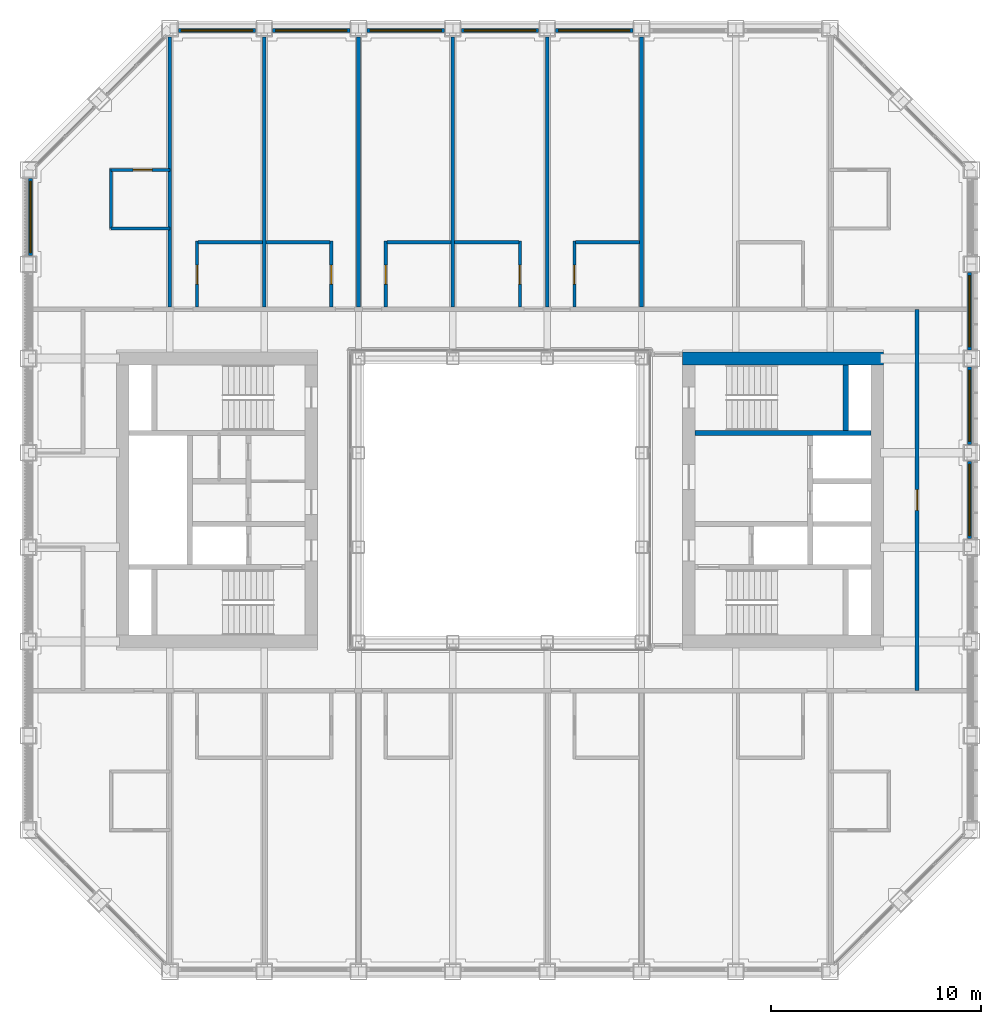
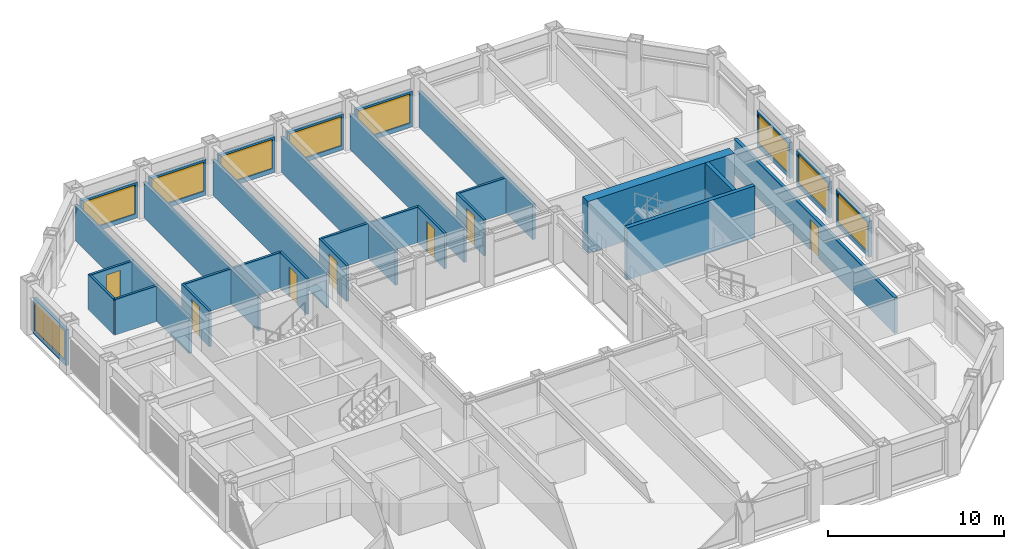
# One storey, part 13 of 17: 32 walls, 9 windows, 7 doors, 16 openings.
"""IFC4 building model written with IfcOpenShell, lengths in metres."""

from ifc_helpers import new_model, si_unit, direction, frame, frame_2d, origin, place, context, subcontext, project, spatial, rectangle, extrude, material, layer, layer_set, type_object, element, fill, save


model = new_model("IFC4")

# Units and contexts
model_context = context("Model", 3, precision=1e-05, world=origin(), true_north=direction((0.0, 1.0)))
body_context = subcontext(model_context, "Body", "Model", "MODEL_VIEW")
ifc_project = project(units=[si_unit("LENGTHUNIT", "METRE"), si_unit("AREAUNIT", "SQUARE_METRE"), si_unit("VOLUMEUNIT", "CUBIC_METRE"), si_unit("PLANEANGLEUNIT", "RADIAN"), si_unit("MASSUNIT", "GRAM", prefix="KILO")], contexts=[model_context])

# Site, building, storey
site_placement = place(None, origin())
site = spatial("IfcSite", under=ifc_project, at=site_placement, CompositionType="ELEMENT")
building_placement = place(site_placement, origin())
building = spatial("IfcBuilding", under=site, at=building_placement, Name="Msasa Ring Tower", CompositionType="ELEMENT")
storey_placement = place(building_placement, frame((0.0, 0.0, 147.199951171875)))
storey = spatial("IfcBuildingStorey", under=building, at=storey_placement, Name="L38", CompositionType="ELEMENT", Elevation=147.199951171875)

# Walls
ifc_material_1 = material(Name="Concrete C60/75", Category="concrete")
ifc_layer_1 = layer(ifc_material_1, 0.60009765625)
ifc_layer_set_1 = layer_set([ifc_layer_1], Name="CW2 CORE WALL 600")
wall_type_1 = type_object("IfcWallType", Name="CW2 CORE WALL 600", PredefinedType="SHEAR", material=ifc_layer_set_1)
wall_1_placement = place(storey_placement, frame((8.699951171875, 6.75, 0.0), z_axis=(0.0, 0.0, 1.0), x_axis=(1.0, 0.0, 0.0)))
element("IfcWall", 1, at=wall_1_placement, inside=storey, type_object=wall_type_1, Name="E core wall N L38", PredefinedType="SHEAR", context=body_context, shape_type="SweptSolid", body=[
    extrude(rectangle(XDim=9.60009765625, YDim=0.60009765625, at=frame_2d((4.800048828125, 0.0))), origin(), (0.0, 0.0, 1.0), 3.60009765625),
])
ifc_material_2 = material(Name="Concrete C60/75", Category="concrete")
ifc_layer_2 = layer(ifc_material_2, 0.25)
ifc_layer_set_2 = layer_set([ifc_layer_2], Name="CW4 CORE INNER WALL 250")
wall_type_2 = type_object("IfcWallType", Name="CW4 CORE INNER WALL 250", PredefinedType="SHEAR", material=ifc_layer_set_2)
wall_2_placement = place(storey_placement, frame((9.300048828125, 3.199951171875, 0.0), z_axis=(0.0, 0.0, 1.0), x_axis=(1.0, 0.0, 0.0)))
element("IfcWall", 2, at=wall_2_placement, inside=storey, type_object=wall_type_2, Name="E core wall STAIRB L38", PredefinedType="SHEAR", context=body_context, shape_type="SweptSolid", body=[
    extrude(rectangle(XDim=8.39990234375, YDim=0.25, at=frame_2d((4.199951171875, 0.0))), origin(), (0.0, 0.0, 1.0), 3.60009765625),
])
wall_3_placement = place(storey_placement, frame((16.5, 3.324951171875, 0.0), z_axis=(0.0, 0.0, 1.0), x_axis=(0.0, 1.0, 0.0)))
element("IfcWall", 3, at=wall_3_placement, inside=storey, type_object=wall_type_2, Name="E core wall RISERB L38", PredefinedType="SHEAR", context=body_context, shape_type="SweptSolid", body=[
    extrude(rectangle(XDim=3.125, YDim=0.25, at=frame_2d((1.5625, 0.0))), origin(), (0.0, 0.0, 1.0), 3.60009765625),
])

# Wall, opening, window
ifc_material_3 = material(Name="Terracotta rainscreen on blockwork", Category="masonry")
ifc_layer_3 = layer(ifc_material_3, 0.199951171875)
ifc_layer_set_3 = layer_set([ifc_layer_3], Name="FW1 TERRACOTTA-LINED INFILL BAY WALL 200")
wall_type_3 = type_object("IfcWallType", Name="FW1 TERRACOTTA-LINED INFILL BAY WALL 200", PredefinedType="SOLIDWALL", material=ifc_layer_set_3)
wall_4_placement = place(storey_placement, frame((22.39990234375, -1.844970703125, 0.0), z_axis=(0.0, 0.0, 1.0), x_axis=(0.0, 1.0, 0.0)))
wall_4 = element("IfcWall", 4, at=wall_4_placement, inside=storey, type_object=wall_type_3, Name="Infill bay wall E L38 12", PredefinedType="SOLIDWALL", context=body_context, shape_type="SweptSolid", body=[
    extrude(rectangle(XDim=3.68994140625, YDim=0.199951171875, at=frame_2d((1.844970703125, 0.0))), origin(), (0.0, 0.0, 1.0), 2.47900390625),
])
opening_1_placement = place(wall_4_placement, frame((0.14501953125, 0.0, 0.300048828125)))
opening_1 = element("IfcOpeningElement", 5, at=opening_1_placement, cuts=wall_4, Name="Opening WN2", PredefinedType="OPENING", context=body_context, shape_type="SweptSolid", body=[
    extrude(rectangle(XDim=3.39990234375, YDim=2.029052734375, at=frame_2d((1.699951171875, 1.0146484375))), frame((0.0, 0.10986328125, 0.0), z_axis=(0.0, -1.0, 0.0), x_axis=(1.0, 0.0, 0.0)), (0.0, 0.0, 1.0), 0.219970703125),
])
ifc_material_4 = material(Name="Aluminium frame with clear glass", Category="aluminium")
window_type = type_object("IfcWindowType", Name="WN2 GUEST ROOM WINDOW 3400x2029", PartitioningType="SINGLE_PANEL", PredefinedType="WINDOW", material=ifc_material_4)
window_1_placement = place(opening_1_placement, origin())
window_1 = element("IfcWindow", 6, at=window_1_placement, inside=storey, type_object=window_type, Name="Window E L38 12", OverallHeight=2.029052734375, OverallWidth=3.39990234375, PartitioningType="SINGLE_PANEL", PredefinedType="WINDOW", context=body_context, shape_type="SweptSolid", body=[
    extrude(rectangle(XDim=3.39990234375, YDim=2.029052734375, at=frame_2d((1.699951171875, 1.0146484375))), frame((0.0, 0.030029296875, 0.0), z_axis=(0.0, -1.0, 0.0), x_axis=(1.0, 0.0, 0.0)), (0.0, 0.0, 1.0), 0.06005859375),
])
fill(opening_1, window_1)

wall_5_placement = place(storey_placement, frame((22.39990234375, 2.655029296875, 0.0), z_axis=(0.0, 0.0, 1.0), x_axis=(0.0, 1.0, 0.0)))
wall_5 = element("IfcWall", 7, at=wall_5_placement, inside=storey, type_object=wall_type_3, Name="Infill bay wall E L38 13", PredefinedType="SOLIDWALL", context=body_context, shape_type="SweptSolid", body=[
    extrude(rectangle(XDim=3.68994140625, YDim=0.199951171875, at=frame_2d((1.844970703125, 0.0))), origin(), (0.0, 0.0, 1.0), 2.47900390625),
])
opening_2_placement = place(wall_5_placement, frame((0.14501953125, 0.0, 0.300048828125)))
opening_2 = element("IfcOpeningElement", 8, at=opening_2_placement, cuts=wall_5, Name="Opening WN2", PredefinedType="OPENING", context=body_context, shape_type="SweptSolid", body=[
    extrude(rectangle(XDim=3.39990234375, YDim=2.029052734375, at=frame_2d((1.699951171875, 1.0146484375))), frame((0.0, 0.10986328125, 0.0), z_axis=(0.0, -1.0, 0.0), x_axis=(1.0, 0.0, 0.0)), (0.0, 0.0, 1.0), 0.219970703125),
])
window_2_placement = place(opening_2_placement, origin())
window_2 = element("IfcWindow", 9, at=window_2_placement, inside=storey, type_object=window_type, Name="Window E L38 13", OverallHeight=2.029052734375, OverallWidth=3.39990234375, PartitioningType="SINGLE_PANEL", PredefinedType="WINDOW", context=body_context, shape_type="SweptSolid", body=[
    extrude(rectangle(XDim=3.39990234375, YDim=2.029052734375, at=frame_2d((1.699951171875, 1.0146484375))), frame((0.0, 0.030029296875, 0.0), z_axis=(0.0, -1.0, 0.0), x_axis=(1.0, 0.0, 0.0)), (0.0, 0.0, 1.0), 0.06005859375),
])
fill(opening_2, window_2)

wall_6_placement = place(storey_placement, frame((22.39990234375, 7.155029296875, 0.0), z_axis=(0.0, 0.0, 1.0), x_axis=(0.0, 1.0, 0.0)))
wall_6 = element("IfcWall", 10, at=wall_6_placement, inside=storey, type_object=wall_type_3, Name="Infill bay wall E L38 14", PredefinedType="SOLIDWALL", context=body_context, shape_type="SweptSolid", body=[
    extrude(rectangle(XDim=3.68994140625, YDim=0.199951171875, at=frame_2d((1.844970703125, 0.0))), origin(), (0.0, 0.0, 1.0), 2.47900390625),
])
opening_3_placement = place(wall_6_placement, frame((0.14501953125, 0.0, 0.300048828125)))
opening_3 = element("IfcOpeningElement", 11, at=opening_3_placement, cuts=wall_6, Name="Opening WN2", PredefinedType="OPENING", context=body_context, shape_type="SweptSolid", body=[
    extrude(rectangle(XDim=3.39990234375, YDim=2.029052734375, at=frame_2d((1.699951171875, 1.0146484375))), frame((0.0, 0.10986328125, 0.0), z_axis=(0.0, -1.0, 0.0), x_axis=(1.0, 0.0, 0.0)), (0.0, 0.0, 1.0), 0.219970703125),
])
window_3_placement = place(opening_3_placement, origin())
window_3 = element("IfcWindow", 12, at=window_3_placement, inside=storey, type_object=window_type, Name="Window E L38 14", OverallHeight=2.029052734375, OverallWidth=3.39990234375, PartitioningType="SINGLE_PANEL", PredefinedType="WINDOW", context=body_context, shape_type="SweptSolid", body=[
    extrude(rectangle(XDim=3.39990234375, YDim=2.029052734375, at=frame_2d((1.699951171875, 1.0146484375))), frame((0.0, 0.030029296875, 0.0), z_axis=(0.0, -1.0, 0.0), x_axis=(1.0, 0.0, 0.0)), (0.0, 0.0, 1.0), 0.06005859375),
])
fill(opening_3, window_3)

wall_7_placement = place(storey_placement, frame((-15.344970703125, 22.39990234375, 0.0), z_axis=(0.0, 0.0, 1.0), x_axis=(1.0, 0.0, 0.0)))
wall_7 = element("IfcWall", 13, at=wall_7_placement, inside=storey, type_object=wall_type_3, Name="Infill bay wall N L38 18", PredefinedType="SOLIDWALL", context=body_context, shape_type="SweptSolid", body=[
    extrude(rectangle(XDim=3.68994140625, YDim=0.199951171875, at=frame_2d((1.844970703125, 0.0))), origin(), (0.0, 0.0, 1.0), 2.47900390625),
])
opening_4_placement = place(wall_7_placement, frame((0.14501953125, 0.0, 0.300048828125)))
opening_4 = element("IfcOpeningElement", 14, at=opening_4_placement, cuts=wall_7, Name="Opening WN2", PredefinedType="OPENING", context=body_context, shape_type="SweptSolid", body=[
    extrude(rectangle(XDim=3.39990234375, YDim=2.029052734375, at=frame_2d((1.699951171875, 1.0146484375))), frame((0.0, 0.10986328125, 0.0), z_axis=(0.0, -1.0, 0.0), x_axis=(1.0, 0.0, 0.0)), (0.0, 0.0, 1.0), 0.219970703125),
])
window_4_placement = place(opening_4_placement, origin())
window_4 = element("IfcWindow", 15, at=window_4_placement, inside=storey, type_object=window_type, Name="Window N L38 18", OverallHeight=2.029052734375, OverallWidth=3.39990234375, PartitioningType="SINGLE_PANEL", PredefinedType="WINDOW", context=body_context, shape_type="SweptSolid", body=[
    extrude(rectangle(XDim=3.39990234375, YDim=2.029052734375, at=frame_2d((1.699951171875, 1.0146484375))), frame((0.0, 0.030029296875, 0.0), z_axis=(0.0, -1.0, 0.0), x_axis=(1.0, 0.0, 0.0)), (0.0, 0.0, 1.0), 0.06005859375),
])
fill(opening_4, window_4)

wall_8_placement = place(storey_placement, frame((-10.844970703125, 22.39990234375, 0.0), z_axis=(0.0, 0.0, 1.0), x_axis=(1.0, 0.0, 0.0)))
wall_8 = element("IfcWall", 16, at=wall_8_placement, inside=storey, type_object=wall_type_3, Name="Infill bay wall N L38 19", PredefinedType="SOLIDWALL", context=body_context, shape_type="SweptSolid", body=[
    extrude(rectangle(XDim=3.68994140625, YDim=0.199951171875, at=frame_2d((1.844970703125, 0.0))), origin(), (0.0, 0.0, 1.0), 2.47900390625),
])
opening_5_placement = place(wall_8_placement, frame((0.14501953125, 0.0, 0.300048828125)))
opening_5 = element("IfcOpeningElement", 17, at=opening_5_placement, cuts=wall_8, Name="Opening WN2", PredefinedType="OPENING", context=body_context, shape_type="SweptSolid", body=[
    extrude(rectangle(XDim=3.39990234375, YDim=2.029052734375, at=frame_2d((1.699951171875, 1.0146484375))), frame((0.0, 0.10986328125, 0.0), z_axis=(0.0, -1.0, 0.0), x_axis=(1.0, 0.0, 0.0)), (0.0, 0.0, 1.0), 0.219970703125),
])
window_5_placement = place(opening_5_placement, origin())
window_5 = element("IfcWindow", 18, at=window_5_placement, inside=storey, type_object=window_type, Name="Window N L38 19", OverallHeight=2.029052734375, OverallWidth=3.39990234375, PartitioningType="SINGLE_PANEL", PredefinedType="WINDOW", context=body_context, shape_type="SweptSolid", body=[
    extrude(rectangle(XDim=3.39990234375, YDim=2.029052734375, at=frame_2d((1.699951171875, 1.0146484375))), frame((0.0, 0.030029296875, 0.0), z_axis=(0.0, -1.0, 0.0), x_axis=(1.0, 0.0, 0.0)), (0.0, 0.0, 1.0), 0.06005859375),
])
fill(opening_5, window_5)

wall_9_placement = place(storey_placement, frame((-6.344970703125, 22.39990234375, 0.0), z_axis=(0.0, 0.0, 1.0), x_axis=(1.0, 0.0, 0.0)))
wall_9 = element("IfcWall", 19, at=wall_9_placement, inside=storey, type_object=wall_type_3, Name="Infill bay wall N L38 20", PredefinedType="SOLIDWALL", context=body_context, shape_type="SweptSolid", body=[
    extrude(rectangle(XDim=3.68994140625, YDim=0.199951171875, at=frame_2d((1.844970703125, 0.0))), origin(), (0.0, 0.0, 1.0), 2.47900390625),
])
opening_6_placement = place(wall_9_placement, frame((0.14501953125, 0.0, 0.300048828125)))
opening_6 = element("IfcOpeningElement", 20, at=opening_6_placement, cuts=wall_9, Name="Opening WN2", PredefinedType="OPENING", context=body_context, shape_type="SweptSolid", body=[
    extrude(rectangle(XDim=3.39990234375, YDim=2.029052734375, at=frame_2d((1.699951171875, 1.0146484375))), frame((0.0, 0.10986328125, 0.0), z_axis=(0.0, -1.0, 0.0), x_axis=(1.0, 0.0, 0.0)), (0.0, 0.0, 1.0), 0.219970703125),
])
window_6_placement = place(opening_6_placement, origin())
window_6 = element("IfcWindow", 21, at=window_6_placement, inside=storey, type_object=window_type, Name="Window N L38 20", OverallHeight=2.029052734375, OverallWidth=3.39990234375, PartitioningType="SINGLE_PANEL", PredefinedType="WINDOW", context=body_context, shape_type="SweptSolid", body=[
    extrude(rectangle(XDim=3.39990234375, YDim=2.029052734375, at=frame_2d((1.699951171875, 1.0146484375))), frame((0.0, 0.030029296875, 0.0), z_axis=(0.0, -1.0, 0.0), x_axis=(1.0, 0.0, 0.0)), (0.0, 0.0, 1.0), 0.06005859375),
])
fill(opening_6, window_6)

wall_10_placement = place(storey_placement, frame((-1.844970703125, 22.39990234375, 0.0), z_axis=(0.0, 0.0, 1.0), x_axis=(1.0, 0.0, 0.0)))
wall_10 = element("IfcWall", 22, at=wall_10_placement, inside=storey, type_object=wall_type_3, Name="Infill bay wall N L38 21", PredefinedType="SOLIDWALL", context=body_context, shape_type="SweptSolid", body=[
    extrude(rectangle(XDim=3.68994140625, YDim=0.199951171875, at=frame_2d((1.844970703125, 0.0))), origin(), (0.0, 0.0, 1.0), 2.47900390625),
])
opening_7_placement = place(wall_10_placement, frame((0.14501953125, 0.0, 0.300048828125)))
opening_7 = element("IfcOpeningElement", 23, at=opening_7_placement, cuts=wall_10, Name="Opening WN2", PredefinedType="OPENING", context=body_context, shape_type="SweptSolid", body=[
    extrude(rectangle(XDim=3.39990234375, YDim=2.029052734375, at=frame_2d((1.699951171875, 1.0146484375))), frame((0.0, 0.10986328125, 0.0), z_axis=(0.0, -1.0, 0.0), x_axis=(1.0, 0.0, 0.0)), (0.0, 0.0, 1.0), 0.219970703125),
])
window_7_placement = place(opening_7_placement, origin())
window_7 = element("IfcWindow", 24, at=window_7_placement, inside=storey, type_object=window_type, Name="Window N L38 21", OverallHeight=2.029052734375, OverallWidth=3.39990234375, PartitioningType="SINGLE_PANEL", PredefinedType="WINDOW", context=body_context, shape_type="SweptSolid", body=[
    extrude(rectangle(XDim=3.39990234375, YDim=2.029052734375, at=frame_2d((1.699951171875, 1.0146484375))), frame((0.0, 0.030029296875, 0.0), z_axis=(0.0, -1.0, 0.0), x_axis=(1.0, 0.0, 0.0)), (0.0, 0.0, 1.0), 0.06005859375),
])
fill(opening_7, window_7)

wall_11_placement = place(storey_placement, frame((2.655029296875, 22.39990234375, 0.0), z_axis=(0.0, 0.0, 1.0), x_axis=(1.0, 0.0, 0.0)))
wall_11 = element("IfcWall", 25, at=wall_11_placement, inside=storey, type_object=wall_type_3, Name="Infill bay wall N L38 22", PredefinedType="SOLIDWALL", context=body_context, shape_type="SweptSolid", body=[
    extrude(rectangle(XDim=3.68994140625, YDim=0.199951171875, at=frame_2d((1.844970703125, 0.0))), origin(), (0.0, 0.0, 1.0), 2.47900390625),
])
opening_8_placement = place(wall_11_placement, frame((0.14501953125, 0.0, 0.300048828125)))
opening_8 = element("IfcOpeningElement", 26, at=opening_8_placement, cuts=wall_11, Name="Opening WN2", PredefinedType="OPENING", context=body_context, shape_type="SweptSolid", body=[
    extrude(rectangle(XDim=3.39990234375, YDim=2.029052734375, at=frame_2d((1.699951171875, 1.0146484375))), frame((0.0, 0.10986328125, 0.0), z_axis=(0.0, -1.0, 0.0), x_axis=(1.0, 0.0, 0.0)), (0.0, 0.0, 1.0), 0.219970703125),
])
window_8_placement = place(opening_8_placement, origin())
window_8 = element("IfcWindow", 27, at=window_8_placement, inside=storey, type_object=window_type, Name="Window N L38 22", OverallHeight=2.029052734375, OverallWidth=3.39990234375, PartitioningType="SINGLE_PANEL", PredefinedType="WINDOW", context=body_context, shape_type="SweptSolid", body=[
    extrude(rectangle(XDim=3.39990234375, YDim=2.029052734375, at=frame_2d((1.699951171875, 1.0146484375))), frame((0.0, 0.030029296875, 0.0), z_axis=(0.0, -1.0, 0.0), x_axis=(1.0, 0.0, 0.0)), (0.0, 0.0, 1.0), 0.06005859375),
])
fill(opening_8, window_8)

wall_12_placement = place(storey_placement, frame((-22.39990234375, 11.655029296875, 0.0), z_axis=(0.0, 0.0, 1.0), x_axis=(0.0, 1.0, 0.0)))
wall_12 = element("IfcWall", 28, at=wall_12_placement, inside=storey, type_object=wall_type_3, Name="Infill bay wall W L38 33", PredefinedType="SOLIDWALL", context=body_context, shape_type="SweptSolid", body=[
    extrude(rectangle(XDim=3.68994140625, YDim=0.199951171875, at=frame_2d((1.844970703125, 0.0))), origin(), (0.0, 0.0, 1.0), 2.47900390625),
])
opening_9_placement = place(wall_12_placement, frame((0.14501953125, 0.0, 0.300048828125)))
opening_9 = element("IfcOpeningElement", 29, at=opening_9_placement, cuts=wall_12, Name="Opening WN2", PredefinedType="OPENING", context=body_context, shape_type="SweptSolid", body=[
    extrude(rectangle(XDim=3.39990234375, YDim=2.029052734375, at=frame_2d((1.699951171875, 1.0146484375))), frame((0.0, 0.10986328125, 0.0), z_axis=(0.0, -1.0, 0.0), x_axis=(1.0, 0.0, 0.0)), (0.0, 0.0, 1.0), 0.219970703125),
])
window_9_placement = place(opening_9_placement, origin())
window_9 = element("IfcWindow", 30, at=window_9_placement, inside=storey, type_object=window_type, Name="Window W L38 33", OverallHeight=2.029052734375, OverallWidth=3.39990234375, PartitioningType="SINGLE_PANEL", PredefinedType="WINDOW", context=body_context, shape_type="SweptSolid", body=[
    extrude(rectangle(XDim=3.39990234375, YDim=2.029052734375, at=frame_2d((1.699951171875, 1.0146484375))), frame((0.0, 0.030029296875, 0.0), z_axis=(0.0, -1.0, 0.0), x_axis=(1.0, 0.0, 0.0)), (0.0, 0.0, 1.0), 0.06005859375),
])
fill(opening_9, window_9)

# Wall, opening, door
ifc_material_5 = material(Name="Concrete blockwork", Category="masonry")
ifc_layer_4 = layer(ifc_material_5, 0.199951171875)
ifc_layer_set_4 = layer_set([ifc_layer_4], Name="PT1 CORRIDOR WALL 200")
wall_type_4 = type_object("IfcWallType", Name="PT1 CORRIDOR WALL 200", PredefinedType="PARTITIONING", material=ifc_layer_set_4)
wall_13_placement = place(storey_placement, frame((19.89990234375, -9.10009765625, 0.0), z_axis=(0.0, 0.0, 1.0), x_axis=(0.0, 1.0, 0.0)))
wall_13 = element("IfcWall", 31, at=wall_13_placement, inside=storey, type_object=wall_type_4, Name="Corridor wall L38-STRE", PredefinedType="PARTITIONING", context=body_context, shape_type="SweptSolid", body=[
    extrude(rectangle(XDim=18.2001953125, YDim=0.199951171875, at=frame_2d((9.10009765625, 0.0))), origin(), (0.0, 0.0, 1.0), 2.473388671875),
])
opening_10_placement = place(wall_13_placement, frame((8.60009765625, 0.0, 0.0)))
opening_10 = element("IfcOpeningElement", 32, at=opening_10_placement, cuts=wall_13, Name="Opening HC-025", PredefinedType="OPENING", context=body_context, shape_type="SweptSolid", body=[
    extrude(rectangle(XDim=1.0, YDim=2.10009765625, at=frame_2d((0.5, 1.050048828125))), frame((0.0, 0.10986328125, 0.0), z_axis=(0.0, -1.0, 0.0), x_axis=(1.0, 0.0, 0.0)), (0.0, 0.0, 1.0), 0.219970703125),
])
ifc_material_6 = material(Name="Timber door leaf in a steel frame", Category="steel")
door_type_1 = type_object("IfcDoorType", Name="D10 STORE DOOR 1000x2100", OperationType="SINGLE_SWING_LEFT", PredefinedType="DOOR", material=ifc_material_6)
door_1_placement = place(opening_10_placement, origin())
door_1 = element("IfcDoor", 33, at=door_1_placement, inside=storey, type_object=door_type_1, Name="Door L38-LGE", OperationType="SINGLE_SWING_LEFT", OverallHeight=2.10009765625, OverallWidth=1.0, PredefinedType="DOOR", context=body_context, shape_type="SweptSolid", body=[
    extrude(rectangle(XDim=1.0, YDim=2.10009765625, at=frame_2d((0.5, 1.050048828125))), frame((0.0, 0.02490234375, 0.0), z_axis=(0.0, -1.0, 0.0), x_axis=(1.0, 0.0, 0.0)), (0.0, 0.0, 1.0), 0.050048828125),
])
fill(opening_10, door_1)

ifc_material_7 = material(Name="Moisture-resistant board on steel studs with a concealed cistern and pipe void, tiled", Category="steel")
ifc_layer_5 = layer(ifc_material_7, 0.14990234375)
ifc_layer_set_5 = layer_set([ifc_layer_5], Name="PT4 BATHROOM WET WALL 150")
wall_type_5 = type_object("IfcWallType", Name="PT4 BATHROOM WET WALL 150", PredefinedType="PARTITIONING", material=ifc_layer_set_5)
wall_14_placement = place(storey_placement, frame((-14.449951171875, 9.199951171875, 0.0), z_axis=(0.0, 0.0, 1.0), x_axis=(0.0, 1.0, 0.0)))
wall_14 = element("IfcWall", 34, at=wall_14_placement, inside=storey, type_object=wall_type_5, Name="Partition L38-GN00BX", PredefinedType="PARTITIONING", context=body_context, shape_type="SweptSolid", body=[
    extrude(rectangle(XDim=3.150146484375, YDim=0.14990234375, at=frame_2d((1.5751953125, 0.0))), origin(), (0.0, 0.0, 1.0), 2.473388671875),
])
opening_11_placement = place(wall_14_placement, frame((1.10009765625, 0.0, 0.0)))
opening_11 = element("IfcOpeningElement", 35, at=opening_11_placement, cuts=wall_14, Name="Opening HC-003", PredefinedType="OPENING", context=body_context, shape_type="SweptSolid", body=[
    extrude(rectangle(XDim=0.89990234375, YDim=2.10009765625, at=frame_2d((0.449951171875, 1.050048828125))), frame((0.0, 0.0849609375, 0.0), z_axis=(0.0, -1.0, 0.0), x_axis=(1.0, 0.0, 0.0)), (0.0, 0.0, 1.0), 0.169921875),
])
ifc_material_8 = material(Name="Timber door leaf in a steel frame", Category="steel")
door_type_2 = type_object("IfcDoorType", Name="D3 BATHROOM DOOR 900x2100", OperationType="SINGLE_SWING_LEFT", PredefinedType="DOOR", material=ifc_material_8)
door_2_placement = place(opening_11_placement, origin())
door_2 = element("IfcDoor", 36, at=door_2_placement, inside=storey, type_object=door_type_2, Name="Door L38-GN00B", OperationType="SINGLE_SWING_LEFT", OverallHeight=2.10009765625, OverallWidth=0.89990234375, PredefinedType="DOOR", context=body_context, shape_type="SweptSolid", body=[
    extrude(rectangle(XDim=0.89990234375, YDim=2.10009765625, at=frame_2d((0.449951171875, 1.050048828125))), frame((0.0, 0.02490234375, 0.0), z_axis=(0.0, -1.0, 0.0), x_axis=(1.0, 0.0, 0.0)), (0.0, 0.0, 1.0), 0.050048828125),
])
fill(opening_11, door_2)

# Wall
wall_15_placement = place(storey_placement, frame((-14.39990234375, 12.300048828125, 0.0), z_axis=(0.0, 0.0, 1.0), x_axis=(1.0, 0.0, 0.0)))
element("IfcWall", 37, at=wall_15_placement, inside=storey, type_object=wall_type_5, Name="Partition L38-GN00BY", PredefinedType="PARTITIONING", context=body_context, shape_type="SweptSolid", body=[
    extrude(rectangle(XDim=3.0625, YDim=0.14990234375, at=frame_2d((1.53125, 0.0))), origin(), (0.0, 0.0, 1.0), 2.473388671875),
])

# Wall, opening, door
wall_16_placement = place(storey_placement, frame((-8.050048828125, 9.199951171875, 0.0), z_axis=(0.0, 0.0, 1.0), x_axis=(0.0, 1.0, 0.0)))
wall_16 = element("IfcWall", 38, at=wall_16_placement, inside=storey, type_object=wall_type_5, Name="Partition L38-GN01BX", PredefinedType="PARTITIONING", context=body_context, shape_type="SweptSolid", body=[
    extrude(rectangle(XDim=3.150146484375, YDim=0.14990234375, at=frame_2d((1.5751953125, 0.0))), origin(), (0.0, 0.0, 1.0), 2.473388671875),
])
opening_12_placement = place(wall_16_placement, frame((1.10009765625, 0.0, 0.0)))
opening_12 = element("IfcOpeningElement", 39, at=opening_12_placement, cuts=wall_16, Name="Opening HC-004", PredefinedType="OPENING", context=body_context, shape_type="SweptSolid", body=[
    extrude(rectangle(XDim=0.89990234375, YDim=2.10009765625, at=frame_2d((0.449951171875, 1.050048828125))), frame((0.0, 0.0849609375, 0.0), z_axis=(0.0, -1.0, 0.0), x_axis=(1.0, 0.0, 0.0)), (0.0, 0.0, 1.0), 0.169921875),
])
door_3_placement = place(opening_12_placement, origin())
door_3 = element("IfcDoor", 40, at=door_3_placement, inside=storey, type_object=door_type_2, Name="Door L38-GN01B", OperationType="SINGLE_SWING_LEFT", OverallHeight=2.10009765625, OverallWidth=0.89990234375, PredefinedType="DOOR", context=body_context, shape_type="SweptSolid", body=[
    extrude(rectangle(XDim=0.89990234375, YDim=2.10009765625, at=frame_2d((0.449951171875, 1.050048828125))), frame((0.0, 0.02490234375, 0.0), z_axis=(0.0, -1.0, 0.0), x_axis=(1.0, 0.0, 0.0)), (0.0, 0.0, 1.0), 0.050048828125),
])
fill(opening_12, door_3)

# Wall
wall_17_placement = place(storey_placement, frame((-11.16259765625, 12.300048828125, 0.0), z_axis=(0.0, 0.0, 1.0), x_axis=(1.0, 0.0, 0.0)))
element("IfcWall", 41, at=wall_17_placement, inside=storey, type_object=wall_type_5, Name="Partition L38-GN01BY", PredefinedType="PARTITIONING", context=body_context, shape_type="SweptSolid", body=[
    extrude(rectangle(XDim=3.0625, YDim=0.14990234375, at=frame_2d((1.53125, 0.0))), origin(), (0.0, 0.0, 1.0), 2.473388671875),
])

# Wall, opening, door
wall_18_placement = place(storey_placement, frame((-5.449951171875, 9.199951171875, 0.0), z_axis=(0.0, 0.0, 1.0), x_axis=(0.0, 1.0, 0.0)))
wall_18 = element("IfcWall", 42, at=wall_18_placement, inside=storey, type_object=wall_type_5, Name="Partition L38-GN02BX", PredefinedType="PARTITIONING", context=body_context, shape_type="SweptSolid", body=[
    extrude(rectangle(XDim=3.150146484375, YDim=0.14990234375, at=frame_2d((1.5751953125, 0.0))), origin(), (0.0, 0.0, 1.0), 2.473388671875),
])
opening_13_placement = place(wall_18_placement, frame((1.10009765625, 0.0, 0.0)))
opening_13 = element("IfcOpeningElement", 43, at=opening_13_placement, cuts=wall_18, Name="Opening HC-005", PredefinedType="OPENING", context=body_context, shape_type="SweptSolid", body=[
    extrude(rectangle(XDim=0.89990234375, YDim=2.10009765625, at=frame_2d((0.449951171875, 1.050048828125))), frame((0.0, 0.0849609375, 0.0), z_axis=(0.0, -1.0, 0.0), x_axis=(1.0, 0.0, 0.0)), (0.0, 0.0, 1.0), 0.169921875),
])
door_4_placement = place(opening_13_placement, origin())
door_4 = element("IfcDoor", 44, at=door_4_placement, inside=storey, type_object=door_type_2, Name="Door L38-GN02B", OperationType="SINGLE_SWING_LEFT", OverallHeight=2.10009765625, OverallWidth=0.89990234375, PredefinedType="DOOR", context=body_context, shape_type="SweptSolid", body=[
    extrude(rectangle(XDim=0.89990234375, YDim=2.10009765625, at=frame_2d((0.449951171875, 1.050048828125))), frame((0.0, 0.02490234375, 0.0), z_axis=(0.0, -1.0, 0.0), x_axis=(1.0, 0.0, 0.0)), (0.0, 0.0, 1.0), 0.050048828125),
])
fill(opening_13, door_4)

# Wall
wall_19_placement = place(storey_placement, frame((-5.39990234375, 12.300048828125, 0.0), z_axis=(0.0, 0.0, 1.0), x_axis=(1.0, 0.0, 0.0)))
element("IfcWall", 45, at=wall_19_placement, inside=storey, type_object=wall_type_5, Name="Partition L38-GN02BY", PredefinedType="PARTITIONING", context=body_context, shape_type="SweptSolid", body=[
    extrude(rectangle(XDim=3.0625, YDim=0.14990234375, at=frame_2d((1.53125, 0.0))), origin(), (0.0, 0.0, 1.0), 2.473388671875),
])

# Wall, opening, door
wall_20_placement = place(storey_placement, frame((0.949951171875, 9.199951171875, 0.0), z_axis=(0.0, 0.0, 1.0), x_axis=(0.0, 1.0, 0.0)))
wall_20 = element("IfcWall", 46, at=wall_20_placement, inside=storey, type_object=wall_type_5, Name="Partition L38-GN03BX", PredefinedType="PARTITIONING", context=body_context, shape_type="SweptSolid", body=[
    extrude(rectangle(XDim=3.150146484375, YDim=0.14990234375, at=frame_2d((1.5751953125, 0.0))), origin(), (0.0, 0.0, 1.0), 2.473388671875),
])
opening_14_placement = place(wall_20_placement, frame((1.10009765625, 0.0, 0.0)))
opening_14 = element("IfcOpeningElement", 47, at=opening_14_placement, cuts=wall_20, Name="Opening HC-006", PredefinedType="OPENING", context=body_context, shape_type="SweptSolid", body=[
    extrude(rectangle(XDim=0.89990234375, YDim=2.10009765625, at=frame_2d((0.449951171875, 1.050048828125))), frame((0.0, 0.0849609375, 0.0), z_axis=(0.0, -1.0, 0.0), x_axis=(1.0, 0.0, 0.0)), (0.0, 0.0, 1.0), 0.169921875),
])
door_5_placement = place(opening_14_placement, origin())
door_5 = element("IfcDoor", 48, at=door_5_placement, inside=storey, type_object=door_type_2, Name="Door L38-GN03B", OperationType="SINGLE_SWING_LEFT", OverallHeight=2.10009765625, OverallWidth=0.89990234375, PredefinedType="DOOR", context=body_context, shape_type="SweptSolid", body=[
    extrude(rectangle(XDim=0.89990234375, YDim=2.10009765625, at=frame_2d((0.449951171875, 1.050048828125))), frame((0.0, 0.02490234375, 0.0), z_axis=(0.0, -1.0, 0.0), x_axis=(1.0, 0.0, 0.0)), (0.0, 0.0, 1.0), 0.050048828125),
])
fill(opening_14, door_5)

# Wall
wall_21_placement = place(storey_placement, frame((-2.16259765625, 12.300048828125, 0.0), z_axis=(0.0, 0.0, 1.0), x_axis=(1.0, 0.0, 0.0)))
element("IfcWall", 49, at=wall_21_placement, inside=storey, type_object=wall_type_5, Name="Partition L38-GN03BY", PredefinedType="PARTITIONING", context=body_context, shape_type="SweptSolid", body=[
    extrude(rectangle(XDim=3.0625, YDim=0.14990234375, at=frame_2d((1.53125, 0.0))), origin(), (0.0, 0.0, 1.0), 2.473388671875),
])

# Wall, opening, door
wall_22_placement = place(storey_placement, frame((3.550048828125, 9.199951171875, 0.0), z_axis=(0.0, 0.0, 1.0), x_axis=(0.0, 1.0, 0.0)))
wall_22 = element("IfcWall", 50, at=wall_22_placement, inside=storey, type_object=wall_type_5, Name="Partition L38-GN04BX", PredefinedType="PARTITIONING", context=body_context, shape_type="SweptSolid", body=[
    extrude(rectangle(XDim=3.150146484375, YDim=0.14990234375, at=frame_2d((1.5751953125, 0.0))), origin(), (0.0, 0.0, 1.0), 2.473388671875),
])
opening_15_placement = place(wall_22_placement, frame((1.10009765625, 0.0, 0.0)))
opening_15 = element("IfcOpeningElement", 51, at=opening_15_placement, cuts=wall_22, Name="Opening HC-007", PredefinedType="OPENING", context=body_context, shape_type="SweptSolid", body=[
    extrude(rectangle(XDim=0.89990234375, YDim=2.10009765625, at=frame_2d((0.449951171875, 1.050048828125))), frame((0.0, 0.0849609375, 0.0), z_axis=(0.0, -1.0, 0.0), x_axis=(1.0, 0.0, 0.0)), (0.0, 0.0, 1.0), 0.169921875),
])
door_6_placement = place(opening_15_placement, origin())
door_6 = element("IfcDoor", 52, at=door_6_placement, inside=storey, type_object=door_type_2, Name="Door L38-GN04B", OperationType="SINGLE_SWING_LEFT", OverallHeight=2.10009765625, OverallWidth=0.89990234375, PredefinedType="DOOR", context=body_context, shape_type="SweptSolid", body=[
    extrude(rectangle(XDim=0.89990234375, YDim=2.10009765625, at=frame_2d((0.449951171875, 1.050048828125))), frame((0.0, 0.02490234375, 0.0), z_axis=(0.0, -1.0, 0.0), x_axis=(1.0, 0.0, 0.0)), (0.0, 0.0, 1.0), 0.050048828125),
])
fill(opening_15, door_6)

# Walls
wall_23_placement = place(storey_placement, frame((3.60009765625, 12.300048828125, 0.0), z_axis=(0.0, 0.0, 1.0), x_axis=(1.0, 0.0, 0.0)))
element("IfcWall", 53, at=wall_23_placement, inside=storey, type_object=wall_type_5, Name="Partition L38-GN04BY", PredefinedType="PARTITIONING", context=body_context, shape_type="SweptSolid", body=[
    extrude(rectangle(XDim=3.0625, YDim=0.14990234375, at=frame_2d((1.53125, 0.0))), origin(), (0.0, 0.0, 1.0), 2.473388671875),
])
wall_24_placement = place(storey_placement, frame((-18.550048828125, 12.949951171875, 0.0), z_axis=(0.0, 0.0, 1.0), x_axis=(0.0, 1.0, 0.0)))
element("IfcWall", 54, at=wall_24_placement, inside=storey, type_object=wall_type_5, Name="Partition L38-CSNWBX", PredefinedType="PARTITIONING", context=body_context, shape_type="SweptSolid", body=[
    extrude(rectangle(XDim=2.875, YDim=0.14990234375, at=frame_2d((1.4375, 0.0))), origin(), (0.0, 0.0, 1.0), 2.473388671875),
])
wall_25_placement = place(storey_placement, frame((-18.550048828125, 12.949951171875, 0.0), z_axis=(0.0, 0.0, 1.0), x_axis=(1.0, 0.0, 0.0)))
element("IfcWall", 55, at=wall_25_placement, inside=storey, type_object=wall_type_5, Name="Partition L38-CSNWBY", PredefinedType="PARTITIONING", context=body_context, shape_type="SweptSolid", body=[
    extrude(rectangle(XDim=2.800048828125, YDim=0.14990234375, at=frame_2d((1.39990234375, 0.0))), origin(), (0.0, 0.0, 1.0), 2.473388671875),
])

# Wall, opening, door
wall_26_placement = place(storey_placement, frame((-18.550048828125, 15.75, 0.0), z_axis=(0.0, 0.0, 1.0), x_axis=(1.0, 0.0, 0.0)))
wall_26 = element("IfcWall", 56, at=wall_26_placement, inside=storey, type_object=wall_type_5, Name="Partition L38-CSNWBZ", PredefinedType="PARTITIONING", context=body_context, shape_type="SweptSolid", body=[
    extrude(rectangle(XDim=2.800048828125, YDim=0.14990234375, at=frame_2d((1.39990234375, 0.0))), origin(), (0.0, 0.0, 1.0), 2.473388671875),
])
opening_16_placement = place(wall_26_placement, frame((1.050048828125, 0.0, 0.0)))
opening_16 = element("IfcOpeningElement", 57, at=opening_16_placement, cuts=wall_26, Name="Opening HC-001", PredefinedType="OPENING", context=body_context, shape_type="SweptSolid", body=[
    extrude(rectangle(XDim=0.89990234375, YDim=2.10009765625, at=frame_2d((0.449951171875, 1.050048828125))), frame((0.0, 0.0849609375, 0.0), z_axis=(0.0, -1.0, 0.0), x_axis=(1.0, 0.0, 0.0)), (0.0, 0.0, 1.0), 0.169921875),
])
door_7_placement = place(opening_16_placement, origin())
door_7 = element("IfcDoor", 58, at=door_7_placement, inside=storey, type_object=door_type_2, Name="Door L38-CSNWB1", OperationType="SINGLE_SWING_RIGHT", OverallHeight=2.10009765625, OverallWidth=0.89990234375, PredefinedType="DOOR", context=body_context, shape_type="SweptSolid", body=[
    extrude(rectangle(XDim=0.89990234375, YDim=2.10009765625, at=frame_2d((0.449951171875, 1.050048828125))), frame((0.0, 0.02490234375, 0.0), z_axis=(0.0, -1.0, 0.0), x_axis=(1.0, 0.0, 0.0)), (0.0, 0.0, 1.0), 0.050048828125),
])
fill(opening_16, door_7)

# Walls
ifc_material_9 = material(Name="Twin steel studs, two layers of acoustic board each face, mineral wool", Category="steel")
ifc_layer_6 = layer(ifc_material_9, 0.175048828125)
ifc_layer_set_6 = layer_set([ifc_layer_6], Name="PT5 GUEST ROOM SEPARATING WALL 175")
wall_type_6 = type_object("IfcWallType", Name="PT5 GUEST ROOM SEPARATING WALL 175", PredefinedType="PARTITIONING", material=ifc_layer_set_6)
for number, where, z_axis, x_axis, name in (
    (59, (-15.75, 9.199951171875, 0.0), (0.0, 0.0, 1.0), (0.0, 1.0, 0.0), "Partition L38-PWN-15.75"),
    (60, (-11.25, 9.199951171875, 0.0), (0.0, 0.0, 1.0), (0.0, 1.0, 0.0), "Partition L38-PWN-11.25"),
    (61, (-6.75, 9.199951171875, 0.0), (0.0, 0.0, 1.0), (0.0, 1.0, 0.0), "Partition L38-PWN-6.75"),
    (62, (-2.25, 9.199951171875, 0.0), (0.0, 0.0, 1.0), (0.0, 1.0, 0.0), "Partition L38-PWN-2.25"),
    (63, (2.25, 9.199951171875, 0.0), (0.0, 0.0, 1.0), (0.0, 1.0, 0.0), "Partition L38-PWN+2.25"),
    (64, (6.75, 9.199951171875, 0.0), (0.0, 0.0, 1.0), (0.0, 1.0, 0.0), "Partition L38-PWN+6.75"),
):
    element("IfcWall", number, at=place(storey_placement, frame(where, z_axis=z_axis, x_axis=x_axis)), inside=storey, type_object=wall_type_6, Name=name, PredefinedType="PARTITIONING", context=body_context, shape_type="SweptSolid", body=[
        extrude(rectangle(XDim=12.900146484375, YDim=0.175048828125, at=frame_2d((6.4501953125, 0.0))), origin(), (0.0, 0.0, 1.0), 2.473388671875),
    ])

save(model, "model.ifc")
